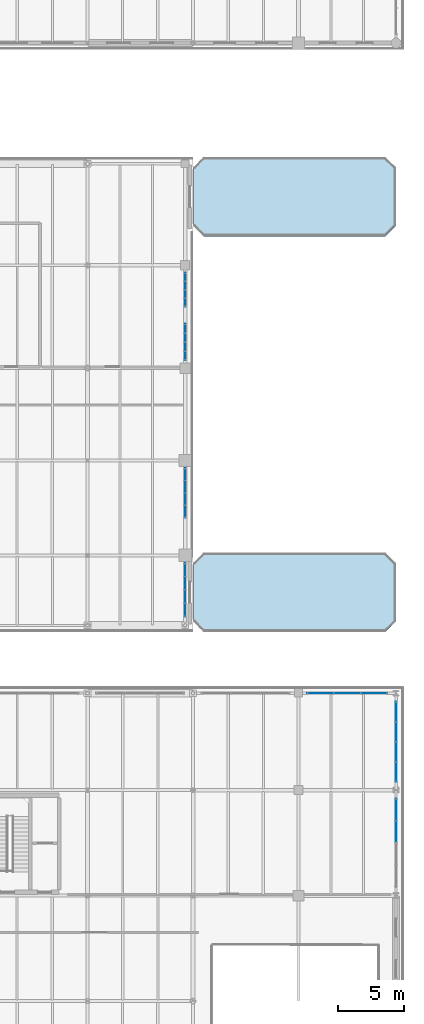
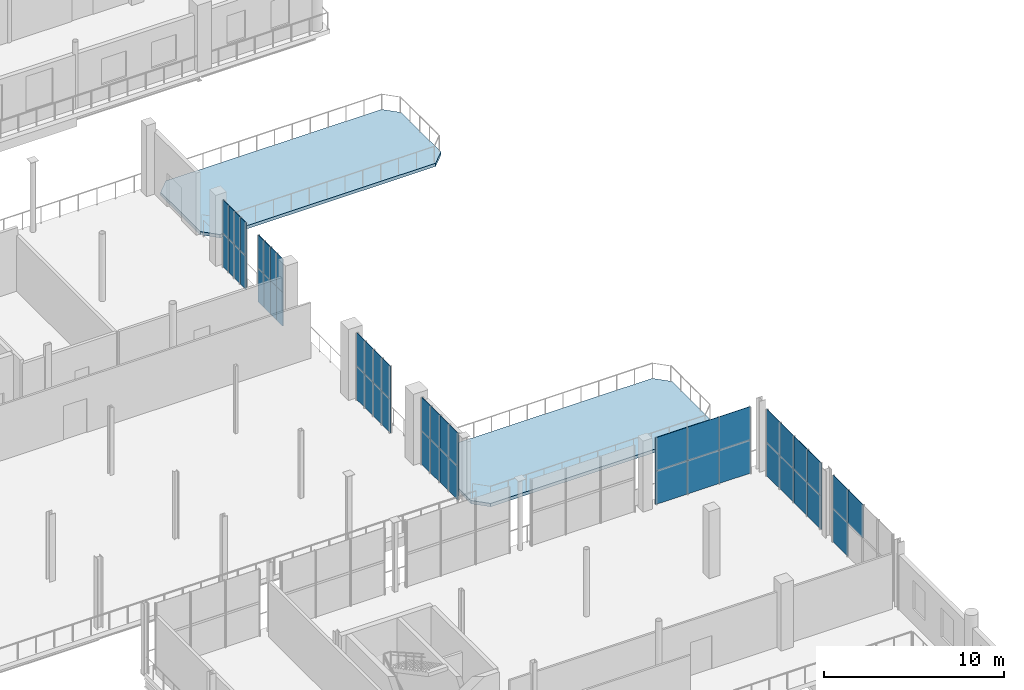
# One storey, part 66 of 93: 49 plates, 2 slabs, 7 elements without a shape of their own.
"""IFC4 building model written with IfcOpenShell, lengths in metres."""

from ifc_helpers import new_model, si_unit, direction, frame, origin, origin_2d, place, context, subcontext, project, spatial, polyline, rectangle, outline, extrude, material, layer, layer_set, type_object, element, aggregate, save


model = new_model("IFC4")

# Units and contexts
model_context = context("Model", 3, precision=1e-05, world=origin(), true_north=direction((0.0, 1.0)))
body_context = subcontext(model_context, "Body", "Model", "MODEL_VIEW")
ifc_project = project(units=[si_unit("LENGTHUNIT", "METRE"), si_unit("AREAUNIT", "SQUARE_METRE"), si_unit("VOLUMEUNIT", "CUBIC_METRE"), si_unit("PLANEANGLEUNIT", "RADIAN"), si_unit("MASSUNIT", "GRAM", prefix="KILO")], contexts=[model_context])

# Site, building, storey
site_placement = place(None, origin())
site = spatial("IfcSite", under=ifc_project, at=site_placement, CompositionType="ELEMENT")
building_placement = place(site_placement, origin())
building = spatial("IfcBuilding", under=site, at=building_placement, Name="Brisemont Oceanarium", CompositionType="ELEMENT")
storey_placement = place(building_placement, frame((0.0, 0.0, 5.39990234375)))
storey = spatial("IfcBuildingStorey", under=building, at=storey_placement, Name="L01", CompositionType="ELEMENT", Elevation=5.39990234375)

# Curtain wall, plates
ifc_material_1 = material(Name="Anodized Extruded Aluminum 6063-T6", Category="aluminium")
curtain_wall_type_1 = type_object("IfcCurtainWallType", Name="CW-GAL-69X43", PredefinedType="NOTDEFINED", material=ifc_material_1)
curtain_wall_1_placement = place(storey_placement, origin())
curtain_wall_1 = element("IfcCurtainWall", 1, at=curtain_wall_1_placement, inside=storey, type_object=curtain_wall_type_1, Name="CW-12 curtain wall CW-V5E-MC-L01-01", PredefinedType="NOTDEFINED")
ifc_material_2 = material(Name="Ceramic-Fritted Spandrel Glass", Category="glass")
ifc_layer_1 = layer(ifc_material_2, 0.031982421875)
ifc_layer_set_1 = layer_set([ifc_layer_1], Name="Ceramic-Fritted Spandrel Glass")
plate_type_1 = type_object("IfcPlateType", Name="PLT-CWP-S2", PredefinedType="CURTAIN_PANEL", material=ifc_layer_set_1)
plate_1_placement = place(storey_placement, frame((143.39990234375, 37.65869140625, 0.00146484375), z_axis=(0.0, 0.0, 1.0), x_axis=(0.0, 1.0, 0.0)))
plate_1 = element("IfcPlate", 2, at=plate_1_placement, type_object=plate_type_1, Name="CW-V5E-MC-L01-01 panel 1.1", PredefinedType="CURTAIN_PANEL", context=body_context, shape_type="SweptSolid", body=[
    extrude(rectangle(XDim=1.014404296875, YDim=0.031982421875, at=origin_2d()), origin(), (0.0, 0.0, 1.0), 2.26708984375),
])
plate_2_placement = place(storey_placement, frame((143.39990234375, 37.65869140625, 2.271484375), z_axis=(0.0, 0.0, 1.0), x_axis=(0.0, 1.0, 0.0)))
plate_2 = element("IfcPlate", 3, at=plate_2_placement, type_object=plate_type_1, Name="CW-V5E-MC-L01-01 panel 1.2", PredefinedType="CURTAIN_PANEL", context=body_context, shape_type="SweptSolid", body=[
    extrude(rectangle(XDim=1.014404296875, YDim=0.031982421875, at=origin_2d()), origin(), (0.0, 0.0, 1.0), 2.26708984375),
])
plate_3_placement = place(storey_placement, frame((143.39990234375, 38.67626953125, 0.00146484375), z_axis=(0.0, 0.0, 1.0), x_axis=(0.0, 1.0, 0.0)))
plate_3 = element("IfcPlate", 4, at=plate_3_placement, type_object=plate_type_1, Name="CW-V5E-MC-L01-01 panel 2.1", PredefinedType="CURTAIN_PANEL", context=body_context, shape_type="SweptSolid", body=[
    extrude(rectangle(XDim=1.014404296875, YDim=0.031982421875, at=origin_2d()), origin(), (0.0, 0.0, 1.0), 2.26708984375),
])
plate_4_placement = place(storey_placement, frame((143.39990234375, 38.67626953125, 2.271484375), z_axis=(0.0, 0.0, 1.0), x_axis=(0.0, 1.0, 0.0)))
plate_4 = element("IfcPlate", 5, at=plate_4_placement, type_object=plate_type_1, Name="CW-V5E-MC-L01-01 panel 2.2", PredefinedType="CURTAIN_PANEL", context=body_context, shape_type="SweptSolid", body=[
    extrude(rectangle(XDim=1.014404296875, YDim=0.031982421875, at=origin_2d()), origin(), (0.0, 0.0, 1.0), 2.26708984375),
])
plate_5_placement = place(storey_placement, frame((143.39990234375, 39.69384765625, 0.00146484375), z_axis=(0.0, 0.0, 1.0), x_axis=(0.0, 1.0, 0.0)))
plate_5 = element("IfcPlate", 6, at=plate_5_placement, type_object=plate_type_1, Name="CW-V5E-MC-L01-01 panel 3.1", PredefinedType="CURTAIN_PANEL", context=body_context, shape_type="SweptSolid", body=[
    extrude(rectangle(XDim=1.014404296875, YDim=0.031982421875, at=origin_2d()), origin(), (0.0, 0.0, 1.0), 2.26708984375),
])
plate_6_placement = place(storey_placement, frame((143.39990234375, 39.69384765625, 2.271484375), z_axis=(0.0, 0.0, 1.0), x_axis=(0.0, 1.0, 0.0)))
plate_6 = element("IfcPlate", 7, at=plate_6_placement, type_object=plate_type_1, Name="CW-V5E-MC-L01-01 panel 3.2", PredefinedType="CURTAIN_PANEL", context=body_context, shape_type="SweptSolid", body=[
    extrude(rectangle(XDim=1.014404296875, YDim=0.031982421875, at=origin_2d()), origin(), (0.0, 0.0, 1.0), 2.26708984375),
])
plate_7_placement = place(storey_placement, frame((143.39990234375, 40.711181640625, 0.00146484375), z_axis=(0.0, 0.0, 1.0), x_axis=(0.0, 1.0, 0.0)))
plate_7 = element("IfcPlate", 8, at=plate_7_placement, type_object=plate_type_1, Name="CW-V5E-MC-L01-01 panel 4.1", PredefinedType="CURTAIN_PANEL", context=body_context, shape_type="SweptSolid", body=[
    extrude(rectangle(XDim=1.014404296875, YDim=0.031982421875, at=origin_2d()), origin(), (0.0, 0.0, 1.0), 2.26708984375),
])
plate_8_placement = place(storey_placement, frame((143.39990234375, 40.711181640625, 2.271484375), z_axis=(0.0, 0.0, 1.0), x_axis=(0.0, 1.0, 0.0)))
plate_8 = element("IfcPlate", 9, at=plate_8_placement, type_object=plate_type_1, Name="CW-V5E-MC-L01-01 panel 4.2", PredefinedType="CURTAIN_PANEL", context=body_context, shape_type="SweptSolid", body=[
    extrude(rectangle(XDim=1.014404296875, YDim=0.031982421875, at=origin_2d()), origin(), (0.0, 0.0, 1.0), 2.26708984375),
])
aggregate(curtain_wall_1, [plate_1, plate_2, plate_3, plate_4, plate_5, plate_6, plate_7, plate_8])

curtain_wall_2_placement = place(storey_placement, origin())
curtain_wall_2 = element("IfcCurtainWall", 10, at=curtain_wall_2_placement, inside=storey, type_object=curtain_wall_type_1, Name="CW-12 curtain wall CW-V5E-MC-L01-02", PredefinedType="NOTDEFINED")
plate_9_placement = place(storey_placement, frame((143.39990234375, 45.12109375, 0.00146484375), z_axis=(0.0, 0.0, 1.0), x_axis=(0.0, 1.0, 0.0)))
plate_9 = element("IfcPlate", 11, at=plate_9_placement, type_object=plate_type_1, Name="CW-V5E-MC-L01-02 panel 1.1", PredefinedType="CURTAIN_PANEL", context=body_context, shape_type="SweptSolid", body=[
    extrude(rectangle(XDim=0.939453125, YDim=0.031982421875, at=origin_2d()), origin(), (0.0, 0.0, 1.0), 2.26708984375),
])
plate_10_placement = place(storey_placement, frame((143.39990234375, 45.12109375, 2.271484375), z_axis=(0.0, 0.0, 1.0), x_axis=(0.0, 1.0, 0.0)))
plate_10 = element("IfcPlate", 12, at=plate_10_placement, type_object=plate_type_1, Name="CW-V5E-MC-L01-02 panel 1.2", PredefinedType="CURTAIN_PANEL", context=body_context, shape_type="SweptSolid", body=[
    extrude(rectangle(XDim=0.939453125, YDim=0.031982421875, at=origin_2d()), origin(), (0.0, 0.0, 1.0), 2.26708984375),
])
plate_11_placement = place(storey_placement, frame((143.39990234375, 46.063720703125, 0.00146484375), z_axis=(0.0, 0.0, 1.0), x_axis=(0.0, 1.0, 0.0)))
plate_11 = element("IfcPlate", 13, at=plate_11_placement, type_object=plate_type_1, Name="CW-V5E-MC-L01-02 panel 2.1", PredefinedType="CURTAIN_PANEL", context=body_context, shape_type="SweptSolid", body=[
    extrude(rectangle(XDim=0.939453125, YDim=0.031982421875, at=origin_2d()), origin(), (0.0, 0.0, 1.0), 2.26708984375),
])
plate_12_placement = place(storey_placement, frame((143.39990234375, 46.063720703125, 2.271484375), z_axis=(0.0, 0.0, 1.0), x_axis=(0.0, 1.0, 0.0)))
plate_12 = element("IfcPlate", 14, at=plate_12_placement, type_object=plate_type_1, Name="CW-V5E-MC-L01-02 panel 2.2", PredefinedType="CURTAIN_PANEL", context=body_context, shape_type="SweptSolid", body=[
    extrude(rectangle(XDim=0.939453125, YDim=0.031982421875, at=origin_2d()), origin(), (0.0, 0.0, 1.0), 2.26708984375),
])
plate_13_placement = place(storey_placement, frame((143.39990234375, 47.00634765625, 0.00146484375), z_axis=(0.0, 0.0, 1.0), x_axis=(0.0, 1.0, 0.0)))
plate_13 = element("IfcPlate", 15, at=plate_13_placement, type_object=plate_type_1, Name="CW-V5E-MC-L01-02 panel 3.1", PredefinedType="CURTAIN_PANEL", context=body_context, shape_type="SweptSolid", body=[
    extrude(rectangle(XDim=0.939453125, YDim=0.031982421875, at=origin_2d()), origin(), (0.0, 0.0, 1.0), 2.26708984375),
])
plate_14_placement = place(storey_placement, frame((143.39990234375, 47.00634765625, 2.271484375), z_axis=(0.0, 0.0, 1.0), x_axis=(0.0, 1.0, 0.0)))
plate_14 = element("IfcPlate", 16, at=plate_14_placement, type_object=plate_type_1, Name="CW-V5E-MC-L01-02 panel 3.2", PredefinedType="CURTAIN_PANEL", context=body_context, shape_type="SweptSolid", body=[
    extrude(rectangle(XDim=0.939453125, YDim=0.031982421875, at=origin_2d()), origin(), (0.0, 0.0, 1.0), 2.26708984375),
])
plate_15_placement = place(storey_placement, frame((143.39990234375, 47.94873046875, 0.00146484375), z_axis=(0.0, 0.0, 1.0), x_axis=(0.0, 1.0, 0.0)))
plate_15 = element("IfcPlate", 17, at=plate_15_placement, type_object=plate_type_1, Name="CW-V5E-MC-L01-02 panel 4.1", PredefinedType="CURTAIN_PANEL", context=body_context, shape_type="SweptSolid", body=[
    extrude(rectangle(XDim=0.939453125, YDim=0.031982421875, at=origin_2d()), origin(), (0.0, 0.0, 1.0), 2.26708984375),
])
plate_16_placement = place(storey_placement, frame((143.39990234375, 47.94873046875, 2.271484375), z_axis=(0.0, 0.0, 1.0), x_axis=(0.0, 1.0, 0.0)))
plate_16 = element("IfcPlate", 18, at=plate_16_placement, type_object=plate_type_1, Name="CW-V5E-MC-L01-02 panel 4.2", PredefinedType="CURTAIN_PANEL", context=body_context, shape_type="SweptSolid", body=[
    extrude(rectangle(XDim=0.939453125, YDim=0.031982421875, at=origin_2d()), origin(), (0.0, 0.0, 1.0), 2.26708984375),
])
aggregate(curtain_wall_2, [plate_9, plate_10, plate_11, plate_12, plate_13, plate_14, plate_15, plate_16])

curtain_wall_3_placement = place(storey_placement, origin())
curtain_wall_3 = element("IfcCurtainWall", 19, at=curtain_wall_3_placement, inside=storey, type_object=curtain_wall_type_1, Name="CW-12 curtain wall CW-V5E-MC-L01-03", PredefinedType="NOTDEFINED")
plate_17_placement = place(storey_placement, frame((143.39990234375, 56.92626953125, 0.00146484375), z_axis=(0.0, 0.0, 1.0), x_axis=(0.0, 1.0, 0.0)))
plate_17 = element("IfcPlate", 20, at=plate_17_placement, type_object=plate_type_1, Name="CW-V5E-MC-L01-03 panel 1.1", PredefinedType="CURTAIN_PANEL", context=body_context, shape_type="SweptSolid", body=[
    extrude(rectangle(XDim=0.689453125, YDim=0.031982421875, at=origin_2d()), origin(), (0.0, 0.0, 1.0), 2.26708984375),
])
plate_18_placement = place(storey_placement, frame((143.39990234375, 56.92626953125, 2.271484375), z_axis=(0.0, 0.0, 1.0), x_axis=(0.0, 1.0, 0.0)))
plate_18 = element("IfcPlate", 21, at=plate_18_placement, type_object=plate_type_1, Name="CW-V5E-MC-L01-03 panel 1.2", PredefinedType="CURTAIN_PANEL", context=body_context, shape_type="SweptSolid", body=[
    extrude(rectangle(XDim=0.689453125, YDim=0.031982421875, at=origin_2d()), origin(), (0.0, 0.0, 1.0), 2.26708984375),
])
plate_19_placement = place(storey_placement, frame((143.39990234375, 57.61865234375, 0.00146484375), z_axis=(0.0, 0.0, 1.0), x_axis=(0.0, 1.0, 0.0)))
plate_19 = element("IfcPlate", 22, at=plate_19_placement, type_object=plate_type_1, Name="CW-V5E-MC-L01-03 panel 2.1", PredefinedType="CURTAIN_PANEL", context=body_context, shape_type="SweptSolid", body=[
    extrude(rectangle(XDim=0.689453125, YDim=0.031982421875, at=origin_2d()), origin(), (0.0, 0.0, 1.0), 2.26708984375),
])
plate_20_placement = place(storey_placement, frame((143.39990234375, 57.61865234375, 2.271484375), z_axis=(0.0, 0.0, 1.0), x_axis=(0.0, 1.0, 0.0)))
plate_20 = element("IfcPlate", 23, at=plate_20_placement, type_object=plate_type_1, Name="CW-V5E-MC-L01-03 panel 2.2", PredefinedType="CURTAIN_PANEL", context=body_context, shape_type="SweptSolid", body=[
    extrude(rectangle(XDim=0.689453125, YDim=0.031982421875, at=origin_2d()), origin(), (0.0, 0.0, 1.0), 2.26708984375),
])
plate_21_placement = place(storey_placement, frame((143.39990234375, 58.311279296875, 0.00146484375), z_axis=(0.0, 0.0, 1.0), x_axis=(0.0, 1.0, 0.0)))
plate_21 = element("IfcPlate", 24, at=plate_21_placement, type_object=plate_type_1, Name="CW-V5E-MC-L01-03 panel 3.1", PredefinedType="CURTAIN_PANEL", context=body_context, shape_type="SweptSolid", body=[
    extrude(rectangle(XDim=0.689453125, YDim=0.031982421875, at=origin_2d()), origin(), (0.0, 0.0, 1.0), 2.26708984375),
])
plate_22_placement = place(storey_placement, frame((143.39990234375, 58.311279296875, 2.271484375), z_axis=(0.0, 0.0, 1.0), x_axis=(0.0, 1.0, 0.0)))
plate_22 = element("IfcPlate", 25, at=plate_22_placement, type_object=plate_type_1, Name="CW-V5E-MC-L01-03 panel 3.2", PredefinedType="CURTAIN_PANEL", context=body_context, shape_type="SweptSolid", body=[
    extrude(rectangle(XDim=0.689453125, YDim=0.031982421875, at=origin_2d()), origin(), (0.0, 0.0, 1.0), 2.26708984375),
])
plate_23_placement = place(storey_placement, frame((143.39990234375, 59.00390625, 0.00146484375), z_axis=(0.0, 0.0, 1.0), x_axis=(0.0, 1.0, 0.0)))
plate_23 = element("IfcPlate", 26, at=plate_23_placement, type_object=plate_type_1, Name="CW-V5E-MC-L01-03 panel 4.1", PredefinedType="CURTAIN_PANEL", context=body_context, shape_type="SweptSolid", body=[
    extrude(rectangle(XDim=0.689453125, YDim=0.031982421875, at=origin_2d()), origin(), (0.0, 0.0, 1.0), 2.26708984375),
])
plate_24_placement = place(storey_placement, frame((143.39990234375, 59.00390625, 2.271484375), z_axis=(0.0, 0.0, 1.0), x_axis=(0.0, 1.0, 0.0)))
plate_24 = element("IfcPlate", 27, at=plate_24_placement, type_object=plate_type_1, Name="CW-V5E-MC-L01-03 panel 4.2", PredefinedType="CURTAIN_PANEL", context=body_context, shape_type="SweptSolid", body=[
    extrude(rectangle(XDim=0.689453125, YDim=0.031982421875, at=origin_2d()), origin(), (0.0, 0.0, 1.0), 2.26708984375),
])
aggregate(curtain_wall_3, [plate_17, plate_18, plate_19, plate_20, plate_21, plate_22, plate_23, plate_24])

curtain_wall_4_placement = place(storey_placement, origin())
curtain_wall_4 = element("IfcCurtainWall", 28, at=curtain_wall_4_placement, inside=storey, type_object=curtain_wall_type_1, Name="CW-12 curtain wall CW-V5E-MC-L01-04", PredefinedType="NOTDEFINED")
plate_25_placement = place(storey_placement, frame((143.39990234375, 60.97119140625, 0.00146484375), z_axis=(0.0, 0.0, 1.0), x_axis=(0.0, 1.0, 0.0)))
plate_25 = element("IfcPlate", 29, at=plate_25_placement, type_object=plate_type_1, Name="CW-V5E-MC-L01-04 panel 1.1", PredefinedType="CURTAIN_PANEL", context=body_context, shape_type="SweptSolid", body=[
    extrude(rectangle(XDim=0.639404296875, YDim=0.031982421875, at=origin_2d()), origin(), (0.0, 0.0, 1.0), 2.26708984375),
])
plate_26_placement = place(storey_placement, frame((143.39990234375, 60.97119140625, 2.271484375), z_axis=(0.0, 0.0, 1.0), x_axis=(0.0, 1.0, 0.0)))
plate_26 = element("IfcPlate", 30, at=plate_26_placement, type_object=plate_type_1, Name="CW-V5E-MC-L01-04 panel 1.2", PredefinedType="CURTAIN_PANEL", context=body_context, shape_type="SweptSolid", body=[
    extrude(rectangle(XDim=0.639404296875, YDim=0.031982421875, at=origin_2d()), origin(), (0.0, 0.0, 1.0), 2.26708984375),
])
plate_27_placement = place(storey_placement, frame((143.39990234375, 61.61376953125, 0.00146484375), z_axis=(0.0, 0.0, 1.0), x_axis=(0.0, 1.0, 0.0)))
plate_27 = element("IfcPlate", 31, at=plate_27_placement, type_object=plate_type_1, Name="CW-V5E-MC-L01-04 panel 2.1", PredefinedType="CURTAIN_PANEL", context=body_context, shape_type="SweptSolid", body=[
    extrude(rectangle(XDim=0.639404296875, YDim=0.031982421875, at=origin_2d()), origin(), (0.0, 0.0, 1.0), 2.26708984375),
])
plate_28_placement = place(storey_placement, frame((143.39990234375, 61.61376953125, 2.271484375), z_axis=(0.0, 0.0, 1.0), x_axis=(0.0, 1.0, 0.0)))
plate_28 = element("IfcPlate", 32, at=plate_28_placement, type_object=plate_type_1, Name="CW-V5E-MC-L01-04 panel 2.2", PredefinedType="CURTAIN_PANEL", context=body_context, shape_type="SweptSolid", body=[
    extrude(rectangle(XDim=0.639404296875, YDim=0.031982421875, at=origin_2d()), origin(), (0.0, 0.0, 1.0), 2.26708984375),
])
plate_29_placement = place(storey_placement, frame((143.39990234375, 62.25634765625, 0.00146484375), z_axis=(0.0, 0.0, 1.0), x_axis=(0.0, 1.0, 0.0)))
plate_29 = element("IfcPlate", 33, at=plate_29_placement, type_object=plate_type_1, Name="CW-V5E-MC-L01-04 panel 3.1", PredefinedType="CURTAIN_PANEL", context=body_context, shape_type="SweptSolid", body=[
    extrude(rectangle(XDim=0.639404296875, YDim=0.031982421875, at=origin_2d()), origin(), (0.0, 0.0, 1.0), 2.26708984375),
])
plate_30_placement = place(storey_placement, frame((143.39990234375, 62.25634765625, 2.271484375), z_axis=(0.0, 0.0, 1.0), x_axis=(0.0, 1.0, 0.0)))
plate_30 = element("IfcPlate", 34, at=plate_30_placement, type_object=plate_type_1, Name="CW-V5E-MC-L01-04 panel 3.2", PredefinedType="CURTAIN_PANEL", context=body_context, shape_type="SweptSolid", body=[
    extrude(rectangle(XDim=0.639404296875, YDim=0.031982421875, at=origin_2d()), origin(), (0.0, 0.0, 1.0), 2.26708984375),
])
plate_31_placement = place(storey_placement, frame((143.39990234375, 62.898681640625, 0.00146484375), z_axis=(0.0, 0.0, 1.0), x_axis=(0.0, 1.0, 0.0)))
plate_31 = element("IfcPlate", 35, at=plate_31_placement, type_object=plate_type_1, Name="CW-V5E-MC-L01-04 panel 4.1", PredefinedType="CURTAIN_PANEL", context=body_context, shape_type="SweptSolid", body=[
    extrude(rectangle(XDim=0.639404296875, YDim=0.031982421875, at=origin_2d()), origin(), (0.0, 0.0, 1.0), 2.26708984375),
])
plate_32_placement = place(storey_placement, frame((143.39990234375, 62.898681640625, 2.271484375), z_axis=(0.0, 0.0, 1.0), x_axis=(0.0, 1.0, 0.0)))
plate_32 = element("IfcPlate", 36, at=plate_32_placement, type_object=plate_type_1, Name="CW-V5E-MC-L01-04 panel 4.2", PredefinedType="CURTAIN_PANEL", context=body_context, shape_type="SweptSolid", body=[
    extrude(rectangle(XDim=0.639404296875, YDim=0.031982421875, at=origin_2d()), origin(), (0.0, 0.0, 1.0), 2.26708984375),
])
aggregate(curtain_wall_4, [plate_25, plate_26, plate_27, plate_28, plate_29, plate_30, plate_31, plate_32])

ifc_material_3 = material(Name="Anodized Extruded Aluminum 6063-T6", Category="aluminium")
curtain_wall_type_2 = type_object("IfcCurtainWallType", Name="CW-EDU-58X43", PredefinedType="NOTDEFINED", material=ifc_material_3)
curtain_wall_5_placement = place(storey_placement, origin())
curtain_wall_5 = element("IfcCurtainWall", 37, at=curtain_wall_5_placement, inside=storey, type_object=curtain_wall_type_2, Name="CW-10 curtain wall CW-V3-N-L01-05", PredefinedType="NOTDEFINED")
ifc_material_4 = material(Name="Insulated Low-E Laminated Glass", Category="glass")
ifc_layer_2 = layer(ifc_material_4, 0.02587890625)
ifc_layer_set_2 = layer_set([ifc_layer_2], Name="Insulated Low-E Laminated Glass")
plate_type_2 = type_object("IfcPlateType", Name="PLT-CWP-V10", PredefinedType="CURTAIN_PANEL", material=ifc_layer_set_2)
plate_33_placement = place(storey_placement, frame((153.666748046875, 31.35009765625, 0.00146484375), z_axis=(0.0, 0.0, 1.0), x_axis=(1.0, 0.0, 0.0)))
plate_33 = element("IfcPlate", 38, at=plate_33_placement, type_object=plate_type_2, Name="CW-V3-N-L01-05 panel 1.1", PredefinedType="CURTAIN_PANEL", context=body_context, shape_type="SweptSolid", body=[
    extrude(rectangle(XDim=2.0302734375, YDim=0.02587890625, at=origin_2d()), origin(), (0.0, 0.0, 1.0), 2.257080078125),
])
plate_34_placement = place(storey_placement, frame((153.666748046875, 31.35009765625, 2.26171875), z_axis=(0.0, 0.0, 1.0), x_axis=(1.0, 0.0, 0.0)))
plate_34 = element("IfcPlate", 39, at=plate_34_placement, type_object=plate_type_2, Name="CW-V3-N-L01-05 panel 1.2", PredefinedType="CURTAIN_PANEL", context=body_context, shape_type="SweptSolid", body=[
    extrude(rectangle(XDim=2.0302734375, YDim=0.02587890625, at=origin_2d()), origin(), (0.0, 0.0, 1.0), 2.257080078125),
])
plate_35_placement = place(storey_placement, frame((155.699951171875, 31.35009765625, 0.00146484375), z_axis=(0.0, 0.0, 1.0), x_axis=(1.0, 0.0, 0.0)))
plate_35 = element("IfcPlate", 40, at=plate_35_placement, type_object=plate_type_2, Name="CW-V3-N-L01-05 panel 2.1", PredefinedType="CURTAIN_PANEL", context=body_context, shape_type="SweptSolid", body=[
    extrude(rectangle(XDim=2.0302734375, YDim=0.02587890625, at=origin_2d()), origin(), (0.0, 0.0, 1.0), 2.257080078125),
])
plate_36_placement = place(storey_placement, frame((155.699951171875, 31.35009765625, 2.26171875), z_axis=(0.0, 0.0, 1.0), x_axis=(1.0, 0.0, 0.0)))
plate_36 = element("IfcPlate", 41, at=plate_36_placement, type_object=plate_type_2, Name="CW-V3-N-L01-05 panel 2.2", PredefinedType="CURTAIN_PANEL", context=body_context, shape_type="SweptSolid", body=[
    extrude(rectangle(XDim=2.0302734375, YDim=0.02587890625, at=origin_2d()), origin(), (0.0, 0.0, 1.0), 2.257080078125),
])
plate_37_placement = place(storey_placement, frame((157.7333984375, 31.35009765625, 0.00146484375), z_axis=(0.0, 0.0, 1.0), x_axis=(1.0, 0.0, 0.0)))
plate_37 = element("IfcPlate", 42, at=plate_37_placement, type_object=plate_type_2, Name="CW-V3-N-L01-05 panel 3.1", PredefinedType="CURTAIN_PANEL", context=body_context, shape_type="SweptSolid", body=[
    extrude(rectangle(XDim=2.0302734375, YDim=0.02587890625, at=origin_2d()), origin(), (0.0, 0.0, 1.0), 2.257080078125),
])
plate_38_placement = place(storey_placement, frame((157.7333984375, 31.35009765625, 2.26171875), z_axis=(0.0, 0.0, 1.0), x_axis=(1.0, 0.0, 0.0)))
plate_38 = element("IfcPlate", 43, at=plate_38_placement, type_object=plate_type_2, Name="CW-V3-N-L01-05 panel 3.2", PredefinedType="CURTAIN_PANEL", context=body_context, shape_type="SweptSolid", body=[
    extrude(rectangle(XDim=2.0302734375, YDim=0.02587890625, at=origin_2d()), origin(), (0.0, 0.0, 1.0), 2.257080078125),
])
aggregate(curtain_wall_5, [plate_33, plate_34, plate_35, plate_36, plate_37, plate_38])

ifc_material_5 = material(Name="Anodized Extruded Aluminum 6063-T6", Category="aluminium")
curtain_wall_type_3 = type_object("IfcCurtainWallType", Name="CW-EDU-69X45", PredefinedType="NOTDEFINED", material=ifc_material_5)
curtain_wall_6_placement = place(storey_placement, origin())
curtain_wall_6 = element("IfcCurtainWall", 44, at=curtain_wall_6_placement, inside=storey, type_object=curtain_wall_type_3, Name="CW-07 curtain wall CW-V3-E-L01-01", PredefinedType="NOTDEFINED")
ifc_material_6 = material(Name="Insulated Low-E Laminated Glass", Category="glass")
ifc_layer_3 = layer(ifc_material_6, 0.028076171875)
ifc_layer_set_3 = layer_set([ifc_layer_3], Name="Insulated Low-E Laminated Glass")
plate_type_3 = type_object("IfcPlateType", Name="PLT-CWP-V7", PredefinedType="CURTAIN_PANEL", material=ifc_layer_set_3)
plate_39_placement = place(storey_placement, frame((159.39990234375, 20.83740234375, 2.26171875), z_axis=(0.0, 0.0, 1.0), x_axis=(0.0, 1.0, 0.0)))
plate_39 = element("IfcPlate", 45, at=plate_39_placement, type_object=plate_type_3, Name="CW-V3-E-L01-01 panel 3.2", PredefinedType="CURTAIN_PANEL", context=body_context, shape_type="SweptSolid", body=[
    extrude(rectangle(XDim=1.672119140625, YDim=0.028076171875, at=origin_2d()), origin(), (0.0, 0.0, 1.0), 2.257080078125),
])
plate_40_placement = place(storey_placement, frame((159.39990234375, 22.512451171875, 0.00146484375), z_axis=(0.0, 0.0, 1.0), x_axis=(0.0, 1.0, 0.0)))
plate_40 = element("IfcPlate", 46, at=plate_40_placement, type_object=plate_type_3, Name="CW-V3-E-L01-01 panel 4.1", PredefinedType="CURTAIN_PANEL", context=body_context, shape_type="SweptSolid", body=[
    extrude(rectangle(XDim=1.672119140625, YDim=0.028076171875, at=origin_2d()), origin(), (0.0, 0.0, 1.0), 2.257080078125),
])
plate_41_placement = place(storey_placement, frame((159.39990234375, 22.512451171875, 2.26171875), z_axis=(0.0, 0.0, 1.0), x_axis=(0.0, 1.0, 0.0)))
plate_41 = element("IfcPlate", 47, at=plate_41_placement, type_object=plate_type_3, Name="CW-V3-E-L01-01 panel 4.2", PredefinedType="CURTAIN_PANEL", context=body_context, shape_type="SweptSolid", body=[
    extrude(rectangle(XDim=1.672119140625, YDim=0.028076171875, at=origin_2d()), origin(), (0.0, 0.0, 1.0), 2.257080078125),
])
aggregate(curtain_wall_6, [plate_39, plate_40, plate_41])

curtain_wall_7_placement = place(storey_placement, origin())
curtain_wall_7 = element("IfcCurtainWall", 48, at=curtain_wall_7_placement, inside=storey, type_object=curtain_wall_type_3, Name="CW-07 curtain wall CW-V3-E-L01-02", PredefinedType="NOTDEFINED")
plate_42_placement = place(storey_placement, frame((159.39990234375, 25.40625, 0.00146484375), z_axis=(0.0, 0.0, 1.0), x_axis=(0.0, 1.0, 0.0)))
plate_42 = element("IfcPlate", 49, at=plate_42_placement, type_object=plate_type_3, Name="CW-V3-E-L01-02 panel 1.1", PredefinedType="CURTAIN_PANEL", context=body_context, shape_type="SweptSolid", body=[
    extrude(rectangle(XDim=1.509521484375, YDim=0.028076171875, at=origin_2d()), origin(), (0.0, 0.0, 1.0), 2.257080078125),
])
plate_43_placement = place(storey_placement, frame((159.39990234375, 25.40625, 2.26171875), z_axis=(0.0, 0.0, 1.0), x_axis=(0.0, 1.0, 0.0)))
plate_43 = element("IfcPlate", 50, at=plate_43_placement, type_object=plate_type_3, Name="CW-V3-E-L01-02 panel 1.2", PredefinedType="CURTAIN_PANEL", context=body_context, shape_type="SweptSolid", body=[
    extrude(rectangle(XDim=1.509521484375, YDim=0.028076171875, at=origin_2d()), origin(), (0.0, 0.0, 1.0), 2.257080078125),
])
plate_44_placement = place(storey_placement, frame((159.39990234375, 26.918701171875, 0.00146484375), z_axis=(0.0, 0.0, 1.0), x_axis=(0.0, 1.0, 0.0)))
plate_44 = element("IfcPlate", 51, at=plate_44_placement, type_object=plate_type_3, Name="CW-V3-E-L01-02 panel 2.1", PredefinedType="CURTAIN_PANEL", context=body_context, shape_type="SweptSolid", body=[
    extrude(rectangle(XDim=1.509521484375, YDim=0.028076171875, at=origin_2d()), origin(), (0.0, 0.0, 1.0), 2.257080078125),
])
plate_45_placement = place(storey_placement, frame((159.39990234375, 26.918701171875, 2.26171875), z_axis=(0.0, 0.0, 1.0), x_axis=(0.0, 1.0, 0.0)))
plate_45 = element("IfcPlate", 52, at=plate_45_placement, type_object=plate_type_3, Name="CW-V3-E-L01-02 panel 2.2", PredefinedType="CURTAIN_PANEL", context=body_context, shape_type="SweptSolid", body=[
    extrude(rectangle(XDim=1.509521484375, YDim=0.028076171875, at=origin_2d()), origin(), (0.0, 0.0, 1.0), 2.257080078125),
])
plate_46_placement = place(storey_placement, frame((159.39990234375, 28.43115234375, 0.00146484375), z_axis=(0.0, 0.0, 1.0), x_axis=(0.0, 1.0, 0.0)))
plate_46 = element("IfcPlate", 53, at=plate_46_placement, type_object=plate_type_3, Name="CW-V3-E-L01-02 panel 3.1", PredefinedType="CURTAIN_PANEL", context=body_context, shape_type="SweptSolid", body=[
    extrude(rectangle(XDim=1.509521484375, YDim=0.028076171875, at=origin_2d()), origin(), (0.0, 0.0, 1.0), 2.257080078125),
])
plate_47_placement = place(storey_placement, frame((159.39990234375, 28.43115234375, 2.26171875), z_axis=(0.0, 0.0, 1.0), x_axis=(0.0, 1.0, 0.0)))
plate_47 = element("IfcPlate", 54, at=plate_47_placement, type_object=plate_type_3, Name="CW-V3-E-L01-02 panel 3.2", PredefinedType="CURTAIN_PANEL", context=body_context, shape_type="SweptSolid", body=[
    extrude(rectangle(XDim=1.509521484375, YDim=0.028076171875, at=origin_2d()), origin(), (0.0, 0.0, 1.0), 2.257080078125),
])
plate_48_placement = place(storey_placement, frame((159.39990234375, 29.94384765625, 0.00146484375), z_axis=(0.0, 0.0, 1.0), x_axis=(0.0, 1.0, 0.0)))
plate_48 = element("IfcPlate", 55, at=plate_48_placement, type_object=plate_type_3, Name="CW-V3-E-L01-02 panel 4.1", PredefinedType="CURTAIN_PANEL", context=body_context, shape_type="SweptSolid", body=[
    extrude(rectangle(XDim=1.509521484375, YDim=0.028076171875, at=origin_2d()), origin(), (0.0, 0.0, 1.0), 2.257080078125),
])
plate_49_placement = place(storey_placement, frame((159.39990234375, 29.94384765625, 2.26171875), z_axis=(0.0, 0.0, 1.0), x_axis=(0.0, 1.0, 0.0)))
plate_49 = element("IfcPlate", 56, at=plate_49_placement, type_object=plate_type_3, Name="CW-V3-E-L01-02 panel 4.2", PredefinedType="CURTAIN_PANEL", context=body_context, shape_type="SweptSolid", body=[
    extrude(rectangle(XDim=1.509521484375, YDim=0.028076171875, at=origin_2d()), origin(), (0.0, 0.0, 1.0), 2.257080078125),
])
aggregate(curtain_wall_7, [plate_42, plate_43, plate_44, plate_45, plate_46, plate_47, plate_48, plate_49])

# Slabs
ifc_material_7 = material(Name="Concrete C40/50", Category="concrete")
ifc_layer_4 = layer(ifc_material_7, 0.219970703125)
ifc_layer_set_4 = layer_set([ifc_layer_4], Name="Concrete C40/50")
slab_type = type_object("IfcSlabType", Name="SLB-TER-220", PredefinedType="FLOOR", material=ifc_layer_set_4)
slab_1_placement = place(storey_placement, frame((0.0, 0.0, -0.219970703125)))
element("IfcSlab", 57, at=slab_1_placement, inside=storey, type_object=slab_type, Name="V5E L01 terrace slab", PredefinedType="FLOOR", context=body_context, shape_type="SweptSolid", body=[
    extrude(outline(polyline([(144.800048828125, 36.0), (158.60009765625, 36.0), (159.39990234375, 36.800048828125), (159.39990234375, 41.199951171875), (158.60009765625, 42.0), (144.800048828125, 42.0), (144.0, 41.199951171875), (144.0, 36.800048828125), (144.800048828125, 36.0)])), origin(), (0.0, 0.0, 1.0), 0.219970703125),
])
slab_2_placement = place(storey_placement, frame((0.0, 0.0, -0.219970703125)))
element("IfcSlab", 58, at=slab_2_placement, inside=storey, type_object=slab_type, Name="V5E L01 terrace slab", PredefinedType="FLOOR", context=body_context, shape_type="SweptSolid", body=[
    extrude(outline(polyline([(144.800048828125, 66.0), (158.60009765625, 66.0), (159.39990234375, 66.800048828125), (159.39990234375, 71.199951171875), (158.60009765625, 72.0), (144.800048828125, 72.0), (144.0, 71.199951171875), (144.0, 66.800048828125), (144.800048828125, 66.0)])), origin(), (0.0, 0.0, 1.0), 0.219970703125),
])

save(model, "model.ifc")
